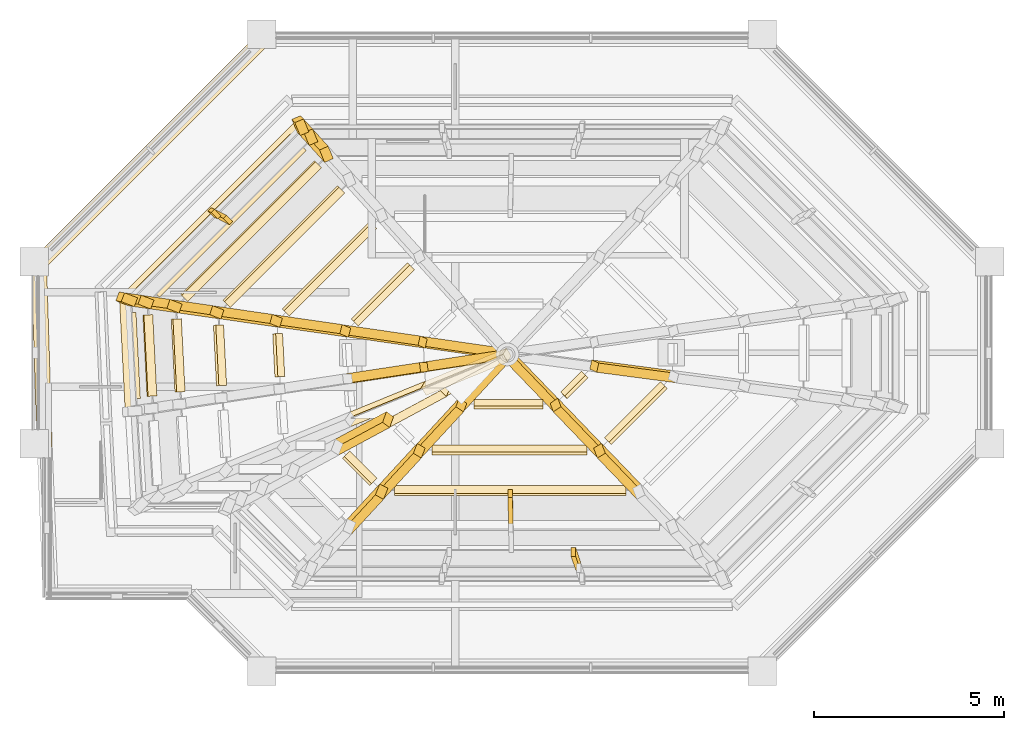
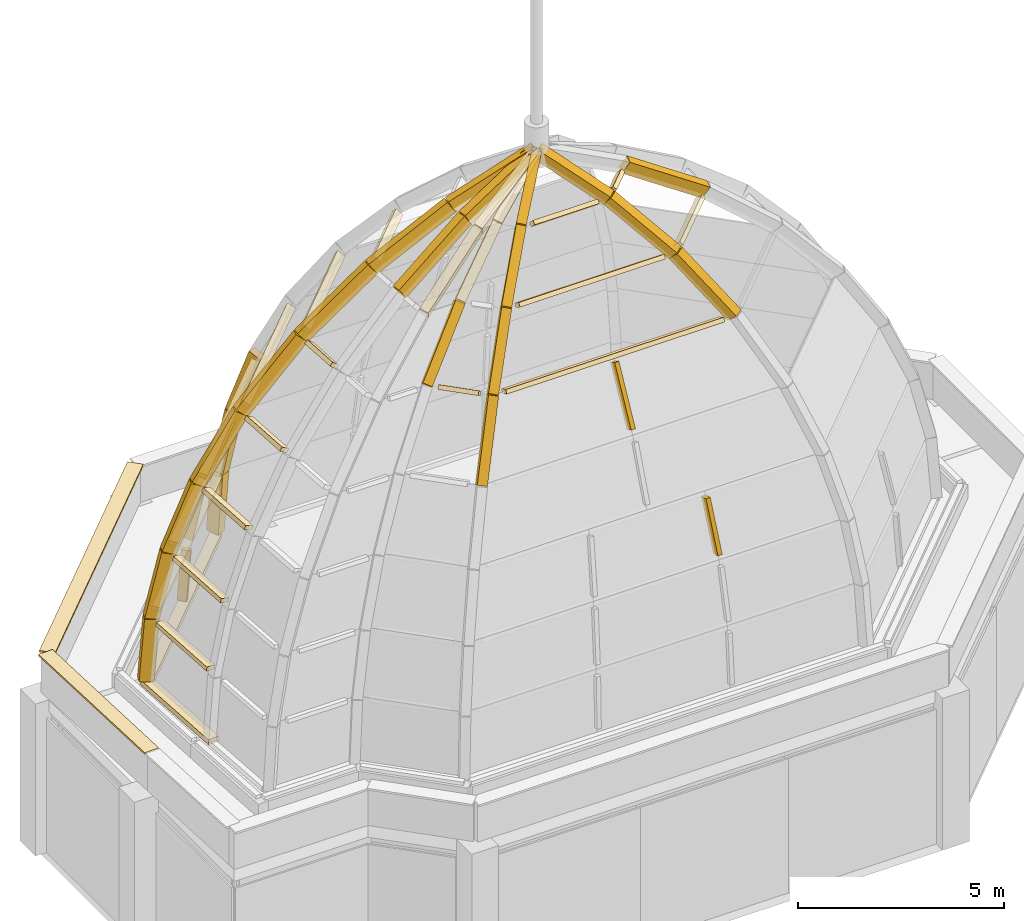
# One storey, part 7 of 9: 51 coverings.
"""IFC4 building model written with IfcOpenShell, lengths in metres."""

from ifc_helpers import new_model, si_unit, direction, frame, origin, origin_2d, place, context, subcontext, project, spatial, polyline, rectangle, outline, extrude, material, layer, layer_set, type_object, element, save


model = new_model("IFC4")

# Units and contexts
model_context = context("Model", 3, precision=1e-05, world=origin(), true_north=direction((0.0, 1.0)))
body_context = subcontext(model_context, "Body", "Model", "MODEL_VIEW")
ifc_project = project(units=[si_unit("LENGTHUNIT", "METRE"), si_unit("AREAUNIT", "SQUARE_METRE"), si_unit("VOLUMEUNIT", "CUBIC_METRE"), si_unit("PLANEANGLEUNIT", "RADIAN"), si_unit("MASSUNIT", "GRAM", prefix="KILO")], contexts=[model_context])

# Site, building, storey
site_placement = place(None, origin())
site = spatial("IfcSite", under=ifc_project, at=site_placement, CompositionType="ELEMENT")
building_placement = place(site_placement, origin())
building = spatial("IfcBuilding", under=site, at=building_placement, Name="Kawkab Arch Medical Tower", CompositionType="ELEMENT")
storey_placement = place(building_placement, frame((0.0, 0.0, 359.199951171875)))
storey = spatial("IfcBuildingStorey", under=building, at=storey_placement, Name="L83", CompositionType="ELEMENT", Elevation=359.199951171875)

# Coverings
ifc_material_1 = material(Name="Bronze painted steel hip rib", Category="steel")
ifc_layer_1 = layer(ifc_material_1, 0.3701171875)
ifc_layer_set_1 = layer_set([ifc_layer_1], Name="Bronze painted steel hip rib")
covering_type_1 = type_object("IfcCoveringType", Name="Crown hip rib 250 x 370", PredefinedType="CLADDING", material=ifc_layer_set_1)
covering_1_placement = place(storey_placement, frame((6.794677734375, -27.445068359375, 4.665771484375), z_axis=(-0.382144575685, 0.922167337883, 0.059773942617), x_axis=(0.042705262922, -0.046991183646, 0.997982008444)))
element("IfcCovering", 1, at=covering_1_placement, inside=storey, type_object=covering_type_1, Name="Crown hip rib, peak B 8 row 1", PredefinedType="CLADDING", context=body_context, shape_type="SweptSolid", body=[
    extrude(outline(polyline([(0.0, 0.0), (1.8237482317586289, -6.938893903907228e-18), (1.8237319559046812, 0.2499263171644488), (0.00022737209733265148, 0.24992108670236712), (0.0, 0.0)])), origin(), (0.0, 0.0, -1.0), 0.3701171875),
])
covering_2_placement = place(storey_placement, frame((2.150634765625, -32.23193359375, 4.669189453125), z_axis=(-0.930404263848, 0.358327122901, 0.07713351286), x_axis=(0.078305568486, -0.011263240122, 0.996865777006)))
element("IfcCovering", 2, at=covering_2_placement, inside=storey, type_object=covering_type_1, Name="Crown hip rib, peak B 9 row 1", PredefinedType="CLADDING", context=body_context, shape_type="SweptSolid", body=[
    extrude(outline(polyline([(0.0, 0.0), (1.8257786223914232, 0.0), (1.825787940099401, 0.24981653912669852), (-1.2549676936314015e-05, 0.2499570311515801), (0.0, 0.0)])), origin(), (0.0, 0.0, -1.0), 0.3701171875),
])
covering_3_placement = place(storey_placement, frame((6.87451171875, -27.534423828125, 6.517333984375), z_axis=(-0.374907527273, 0.909526590674, 0.179459540988), x_axis=(0.127964065514, -0.140955459627, 0.981711136913)))
element("IfcCovering", 3, at=covering_3_placement, inside=storey, type_object=covering_type_1, Name="Crown hip rib, peak B 8 row 2", PredefinedType="CLADDING", context=body_context, shape_type="SweptSolid", body=[
    extrude(outline(polyline([(0.0, 0.0), (1.8540041246641772, -2.7755575615628914e-17), (1.8539923713373134, 0.25000591095131014), (5.3900854078615945e-05, 0.25013461527703534), (0.0, 0.0)])), origin(), (0.0, 0.0, -1.0), 0.3701171875),
])
covering_4_placement = place(storey_placement, frame((2.299560546875, -32.25439453125, 6.52685546875), z_axis=(-0.907658915861, 0.351457160999, 0.229419171912), x_axis=(0.232703317621, -0.033499004912, 0.971970669639)))
element("IfcCovering", 4, at=covering_4_placement, inside=storey, type_object=covering_type_1, Name="Crown hip rib, peak B 9 row 2", PredefinedType="CLADDING", context=body_context, shape_type="SweptSolid", body=[
    extrude(outline(polyline([(0.0, 0.0), (1.8725649434504588, 2.7755575615628914e-17), (1.8727211366087035, 0.25023503696967764), (0.00016437162624100693, 0.2500066179153117), (0.0, 0.0)])), origin(), (0.0, 0.0, -1.0), 0.3701171875),
])
covering_5_placement = place(storey_placement, frame((7.1162109375, -27.803466796875, 8.368896484375), z_axis=(-0.361402680017, 0.882864278084, 0.299897931569), x_axis=(0.213067405553, -0.234930501081, 0.948372258321)))
element("IfcCovering", 5, at=covering_5_placement, inside=storey, type_object=covering_type_1, Name="Crown hip rib, peak B 8 row 3", PredefinedType="CLADDING", context=body_context, shape_type="SweptSolid", body=[
    extrude(outline(polyline([(0.0, 0.0), (1.919169854878034, -2.7755575615628914e-17), (1.9190866539091407, 0.2501726526939382), (-7.78632990866314e-05, 0.2498517586728065), (0.0, 0.0)])), origin(), (0.0, 0.0, -1.0), 0.3701171875),
])
covering_6_placement = place(storey_placement, frame((2.747314453125, -32.320556640625, 8.383056640625), z_axis=(-0.862741529194, 0.337774921502, 0.376278030461), x_axis=(0.381054548547, -0.05484313353, 0.92292451573)))
element("IfcCovering", 6, at=covering_6_placement, inside=storey, type_object=covering_type_1, Name="Crown hip rib, peak B 9 row 3", PredefinedType="CLADDING", context=body_context, shape_type="SweptSolid", body=[
    extrude(outline(polyline([(0.0, 0.0), (1.9720663265019112, 0.0), (1.9718890298047596, 0.24994318705451474), (-0.0001772966971514793, 0.2499431870545147), (0.0, 0.0)])), origin(), (0.0, 0.0, -1.0), 0.3701171875),
])
covering_7_placement = place(storey_placement, frame((3.5166015625, -32.434326171875, 10.236328125), z_axis=(-0.796856297097, 0.315907602134, 0.514997503577), x_axis=(0.520166717011, -0.074863836411, 0.850777287257)))
element("IfcCovering", 7, at=covering_7_placement, inside=storey, type_object=covering_type_1, Name="Crown hip rib, peak B 9 row 4", PredefinedType="CLADDING", context=body_context, shape_type="SweptSolid", body=[
    extrude(outline(polyline([(0.0, 0.0), (2.139300597978579, -8.326672684688674e-17), (2.13936805125987, 0.25012620168401384), (6.74532812908954e-05, 0.2501262016840139), (0.0, 0.0)])), origin(), (0.0, 0.0, -1.0), 0.3701171875),
])
covering_8_placement = place(storey_placement, frame((8.364501953125, -38.38671875, 12.02734375), z_axis=(-0.308890123392, -0.782676283008, 0.540374617915), x_axis=(0.384160335919, 0.417079220405, 0.82369033029)))
element("IfcCovering", 8, at=covering_8_placement, inside=storey, type_object=covering_type_1, Name="Crown hip rib, peak B 3 row 5", PredefinedType="CLADDING", context=body_context, shape_type="SweptSolid", body=[
    extrude(outline(polyline([(0.0, 0.0), (2.209670643879363, 5.551115123125783e-17), (2.2096611492697615, 0.2500011901600701), (0.0002934276439857872, 0.2501559415844942), (0.0, 0.0)])), origin(), (0.0, 0.0, -1.0), 0.3701171875),
])
covering_9_placement = place(storey_placement, frame((4.65234375, -32.601806640625, 12.086669921875), z_axis=(-0.709563001317, 0.286886947148, 0.643596322797), x_axis=(0.647954304112, -0.093276521197, 0.755946235109)))
element("IfcCovering", 9, at=covering_9_placement, inside=storey, type_object=covering_type_1, Name="Crown hip rib, peak B 9 row 5", PredefinedType="CLADDING", context=body_context, shape_type="SweptSolid", body=[
    extrude(outline(polyline([(0.0, 0.0), (2.4074867283404786, -2.7755575615628914e-17), (2.407513032708694, 0.24987748608722507), (-6.084931324437659e-08, 0.24997431411396065), (0.0, 0.0)])), origin(), (0.0, 0.0, -1.0), 0.3701171875),
])
covering_10_placement = place(storey_placement, frame((8.02880859375, -36.296630859375, 13.832763671875), z_axis=(-0.275250961441, -0.759604064393, 0.589269525416), x_axis=(0.615630964921, 0.331516476335, 0.714909323585)))
element("IfcCovering", 10, at=covering_10_placement, inside=storey, type_object=covering_type_1, Name="Crown hip rib, peak B 2 row 6", PredefinedType="CLADDING", context=body_context, shape_type="SweptSolid", body=[
    extrude(outline(polyline([(0.0, 0.0), (2.1818946671779704, 0.0), (2.182015988067419, 0.2500339325586525), (-5.321751962965304e-05, 0.24994204155419075), (0.0, 0.0)])), origin(), (0.0, 0.0, -1.0), 0.3701171875),
])
covering_11_placement = place(storey_placement, frame((9.218505859375, -37.45263671875, 13.870849609375), z_axis=(-0.270636138852, -0.703563635091, 0.657080125802), x_axis=(0.463418201757, 0.503050748179, 0.729509091812)))
element("IfcCovering", 11, at=covering_11_placement, inside=storey, type_object=covering_type_1, Name="Crown hip rib, peak B 3 row 6", PredefinedType="CLADDING", context=body_context, shape_type="SweptSolid", body=[
    extrude(outline(polyline([(0.0, 0.0), (2.1384324155491097, 5.551115123125783e-17), (2.138359056676382, 0.2499704107148108), (0.0001047439328907343, 0.2500167731372869), (0.0, 0.0)])), origin(), (0.0, 0.0, -1.0), 0.3701171875),
])
covering_12_placement = place(storey_placement, frame((16.095458984375, -37.325439453125, 13.920654296875), z_axis=(0.268530830404, -0.700553317192, 0.661147671019), x_axis=(-0.479150808847, 0.498278309163, 0.722587869397)))
element("IfcCovering", 12, at=covering_12_placement, inside=storey, type_object=covering_type_1, Name="Crown hip rib, peak B 4 row 6", PredefinedType="CLADDING", context=body_context, shape_type="SweptSolid", body=[
    extrude(outline(polyline([(0.0, 0.0), (2.158914231616296, -1.1102230246251565e-16), (2.1589088233436255, 0.25006411329117206), (0.0001710047813816007, 0.2500148292090333), (0.0, 0.0)])), origin(), (0.0, 0.0, -1.0), 0.3701171875),
])
covering_13_placement = place(storey_placement, frame((6.238525390625, -32.83544921875, 13.93115234375), z_axis=(-0.608602667795, 0.251132357135, 0.75268541367), x_axis=(0.754955365965, -0.108697628004, 0.646704894884)))
element("IfcCovering", 13, at=covering_13_placement, inside=storey, type_object=covering_type_1, Name="Crown hip rib, peak B 9 row 6", PredefinedType="CLADDING", context=body_context, shape_type="SweptSolid", body=[
    extrude(outline(polyline([(0.0, 0.0), (2.4120485597224763, 0.0), (2.412094180120891, 0.25000295916821536), (-0.00011226653881299398, 0.25003309590019784), (0.0, 0.0)])), origin(), (0.0, 0.0, -1.0), 0.3701171875),
])
covering_14_placement = place(storey_placement, frame((8.346923828125, -35.548583984375, 15.44775390625), z_axis=(-0.314742928045, -0.513760747008, 0.798114518148), x_axis=(0.790437690393, 0.32365142108, 0.520055780891)))
element("IfcCovering", 14, at=covering_14_placement, inside=storey, type_object=covering_type_1, Name="Crown hip rib, peak B 1 row 7", PredefinedType="CLADDING", context=body_context, shape_type="SweptSolid", body=[
    extrude(outline(polyline([(0.0, 0.0), (2.4996020545112567, -2.7755575615628914e-16), (2.4996339225641826, 0.24990229517795282), (-1.6082230230814176e-05, 0.25002200094291277), (0.0, 0.0)])), origin(), (0.0, 0.0, -1.0), 0.3701171875),
])
covering_15_placement = place(storey_placement, frame((9.373291015625, -35.564453125, 15.413818359375), z_axis=(-0.232777247941, -0.681980870307, 0.693337468609), x_axis=(0.700340393444, 0.377110458936, 0.606061906964)))
element("IfcCovering", 15, at=covering_15_placement, inside=storey, type_object=covering_type_1, Name="Crown hip rib, peak B 2 row 7", PredefinedType="CLADDING", context=body_context, shape_type="SweptSolid", body=[
    extrude(outline(polyline([(0.0, 0.0), (2.1449807240953502, -3.3306690738754696e-16), (2.1449778929541656, 0.2500321705612599), (-9.489912432320696e-05, 0.24987917992201722), (0.0, 0.0)])), origin(), (0.0, 0.0, -1.0), 0.3701171875),
])
covering_16_placement = place(storey_placement, frame((10.21533203125, -36.36181640625, 15.453125), z_axis=(-0.228362054138, -0.609751534122, 0.758982107079), x_axis=(0.530389915697, 0.575821123593, 0.622186926053)))
element("IfcCovering", 16, at=covering_16_placement, inside=storey, type_object=covering_type_1, Name="Crown hip rib, peak B 3 row 7", PredefinedType="CLADDING", context=body_context, shape_type="SweptSolid", body=[
    extrude(outline(polyline([(0.0, 0.0), (2.0892601364062644, -8.326672684688674e-17), (2.089364533541694, 0.24972644287818707), (-3.641236607325807e-05, 0.2500118792386503), (0.0, 0.0)])), origin(), (0.0, 0.0, -1.0), 0.3701171875),
])
covering_17_placement = place(storey_placement, frame((15.048095703125, -36.2236328125, 15.503173828125), z_axis=(0.225729436185, -0.606659136538, 0.762240718996), x_axis=(-0.546841196527, 0.568632362753, 0.614509513198)))
element("IfcCovering", 17, at=covering_17_placement, inside=storey, type_object=covering_type_1, Name="Crown hip rib, peak B 4 row 7", PredefinedType="CLADDING", context=body_context, shape_type="SweptSolid", body=[
    extrude(outline(polyline([(0.0, 0.0), (2.115713835880776, -5.551115123125783e-17), (2.1156587074587425, 0.2498895610769215), (0.00021720398989991813, 0.24995076592041238), (0.0, 0.0)])), origin(), (0.0, 0.0, -1.0), 0.3701171875),
])
covering_18_placement = place(storey_placement, frame((16.972412109375, -34.147705078125, 15.511474609375), z_axis=(0.494546016062, -0.222617122977, 0.840158231856), x_axis=(-0.843282365549, 0.111183035083, 0.525845209795)))
element("IfcCovering", 18, at=covering_18_placement, inside=storey, type_object=covering_type_1, Name="Crown hip rib, peak B 5 row 7", PredefinedType="CLADDING", context=body_context, shape_type="SweptSolid", body=[
    extrude(outline(polyline([(0.0, 0.0), (2.4723997171502923, -2.7755575615628914e-17), (2.4722769606216337, 0.25002487607662127), (8.312295511810758e-05, 0.25007626120599236), (0.0, 0.0)])), origin(), (0.0, 0.0, -1.0), 0.3701171875),
])
covering_19_placement = place(storey_placement, frame((8.086181640625, -33.107421875, 15.5087890625), z_axis=(-0.504140147538, 0.211424699401, 0.837342407933), x_axis=(0.836754057776, -0.12038330599, 0.534182091083)))
element("IfcCovering", 19, at=covering_19_placement, inside=storey, type_object=covering_type_1, Name="Crown hip rib, peak B 9 row 7", PredefinedType="CLADDING", context=body_context, shape_type="SweptSolid", body=[
    extrude(outline(polyline([(0.0, 0.0), (2.4336780268840656, 0.0), (2.433712413350323, 0.24995171187721232), (4.996010693262415e-06, 0.2501885166369284), (0.0, 0.0)])), origin(), (0.0, 0.0, -1.0), 0.3701171875),
])
covering_20_placement = place(storey_placement, frame((8.18359375, -34.41357421875, 15.50048828125), z_axis=(-0.540376015781, -0.029681727473, 0.840899968262), x_axis=(0.832459026131, 0.126634465133, 0.539421618081)))
element("IfcCovering", 20, at=covering_20_placement, inside=storey, type_object=covering_type_1, Name="Crown hip rib, peak B 10 row 7", PredefinedType="CLADDING", context=body_context, shape_type="SweptSolid", body=[
    extrude(outline(polyline([(0.0, 0.0), (2.4099191932172577, 6.938893903907228e-17), (2.4099686636836064, 0.24991639433995574), (0.00018116519732584886, 0.2499057201686219), (0.0, 0.0)])), origin(), (0.0, 0.0, -1.0), 0.3701171875),
])
covering_21_placement = place(storey_placement, frame((10.333740234375, -34.7275390625, 16.764404296875), z_axis=(-0.238177119758, -0.439653790818, 0.866011664958), x_axis=(0.844887361986, 0.345969469874, 0.408007930647)))
element("IfcCovering", 21, at=covering_21_placement, inside=storey, type_object=covering_type_1, Name="Crown hip rib, peak B 1 row 8", PredefinedType="CLADDING", context=body_context, shape_type="SweptSolid", body=[
    extrude(outline(polyline([(0.0, 0.0), (2.5489518871637493, -1.1102230246251565e-16), (2.549074841270546, 0.24999293055588406), (3.84889041914159e-05, 0.24979057204396635), (0.0, 0.0)])), origin(), (0.0, 0.0, -1.0), 0.3701171875),
])
covering_22_placement = place(storey_placement, frame((10.8779296875, -34.742919921875, 16.737060546875), z_axis=(-0.185982087064, -0.585387710786, 0.789133633393), x_axis=(0.768444352603, 0.413834251951, 0.488092705196)))
element("IfcCovering", 22, at=covering_22_placement, inside=storey, type_object=covering_type_1, Name="Crown hip rib, peak B 2 row 8", PredefinedType="CLADDING", context=body_context, shape_type="SweptSolid", body=[
    extrude(outline(polyline([(0.0, 0.0), (2.130859500753574, 0.0), (2.1308874451372986, 0.2500325394257992), (0.00021555286824656572, 0.24988305358639235), (0.0, 0.0)])), origin(), (0.0, 0.0, -1.0), 0.3701171875),
])
covering_23_placement = place(storey_placement, frame((11.330322265625, -35.140380859375, 16.77392578125), z_axis=(-0.183096457422, -0.501772135854, 0.84539955699), x_axis=(0.585262173104, 0.635310851954, 0.50383361353)))
element("IfcCovering", 23, at=covering_23_placement, inside=storey, type_object=covering_type_1, Name="Crown hip rib, peak B 3 row 8", PredefinedType="CLADDING", context=body_context, shape_type="SweptSolid", body=[
    extrude(outline(polyline([(0.0, 0.0), (2.064077883789767, 2.220446049250313e-16), (2.0639652392664045, 0.24998409798143212), (1.036172994064305e-05, 0.2500273951211484), (0.0, 0.0)])), origin(), (0.0, 0.0, -1.0), 0.3701171875),
])
covering_24_placement = place(storey_placement, frame((13.877685546875, -34.991455078125, 16.820068359375), z_axis=(0.179872234853, -0.499220064579, 0.847599732333), x_axis=(-0.601778162722, 0.625763968251, 0.496268575379)))
element("IfcCovering", 24, at=covering_24_placement, inside=storey, type_object=covering_type_1, Name="Crown hip rib, peak B 4 row 8", PredefinedType="CLADDING", context=body_context, shape_type="SweptSolid", body=[
    extrude(outline(polyline([(0.0, 0.0), (2.0954029166207704, 3.0531133177191805e-16), (2.095430883591094, 0.2500587403038567), (-9.319234983715813e-05, 0.2501046050914046), (0.0, 0.0)])), origin(), (0.0, 0.0, -1.0), 0.3701171875),
])
covering_25_placement = place(storey_placement, frame((10.149169921875, -33.41064453125, 16.821044921875), z_axis=(-0.397947164618, 0.169830525158, 0.901551799342), x_axis=(0.897958435751, -0.129176477327, 0.420694765084)))
element("IfcCovering", 25, at=covering_25_placement, inside=storey, type_object=covering_type_1, Name="Crown hip rib, peak B 9 row 8", PredefinedType="CLADDING", context=body_context, shape_type="SweptSolid", body=[
    extrude(outline(polyline([(0.0, 0.0), (2.4719091637412522, 6.938893903907228e-17), (2.471884745170411, 0.24986843831187971), (6.056365409507457e-05, 0.2501775134512105), (0.0, 0.0)])), origin(), (0.0, 0.0, -1.0), 0.3701171875),
])
covering_26_placement = place(storey_placement, frame((10.216064453125, -34.10693359375, 16.8134765625), z_axis=(-0.426431946767, -0.023742676514, 0.904207984973), x_axis=(0.894669347146, 0.136056564, 0.425506017196)))
element("IfcCovering", 26, at=covering_26_placement, inside=storey, type_object=covering_type_1, Name="Crown hip rib, peak B 10 row 8", PredefinedType="CLADDING", context=body_context, shape_type="SweptSolid", body=[
    extrude(outline(polyline([(0.0, 0.0), (2.4439998404447856, -6.938893903907228e-18), (2.4440616452774364, 0.25018931857582094), (0.00013247120306026858, 0.2499385389011545), (0.0, 0.0)])), origin(), (0.0, 0.0, -1.0), 0.3701171875),
])
ifc_material_2 = material(Name="Bronze anodised aluminium joint bar", Category="aluminium")
ifc_layer_2 = layer(ifc_material_2, 0.239990234375)
ifc_layer_set_2 = layer_set([ifc_layer_2], Name="Bronze anodised aluminium joint bar")
covering_type_2 = type_object("IfcCoveringType", Name="Crown joint bar 120 x 240", PredefinedType="CLADDING", material=ifc_layer_set_2)
covering_27_placement = place(storey_placement, frame((6.754638671875, -27.828125, 6.417724609375), z_axis=(-0.70569143744, 0.70569143744, 0.063239151217), x_axis=(-0.707106781187, -0.707106781187, 0.0)))
element("IfcCovering", 27, at=covering_27_placement, inside=storey, type_object=covering_type_2, Name="Crown joint bar, peak B face 8 ring 1", PredefinedType="CLADDING", context=body_context, shape_type="SweptSolid", body=[
    extrude(outline(polyline([(0.0, 0.0), (5.7549100726647335, 0.0), (5.7549100726647335, 0.12011346578647426), (0.0, 0.12011346578647428), (0.0, 0.0)])), origin(), (0.0, 0.0, -1.0), 0.239990234375),
])
covering_28_placement = place(storey_placement, frame((2.435302734375, -32.54541015625, 6.41943359375), z_axis=(-0.995726112877, -0.050425998512, 0.077373941402), x_axis=(0.050577606757, -0.998720133819, -2.09476e-07)))
element("IfcCovering", 28, at=covering_28_placement, inside=storey, type_object=covering_type_2, Name="Crown joint bar, peak B face 9 ring 1", PredefinedType="CLADDING", context=body_context, shape_type="SweptSolid", body=[
    extrude(outline(polyline([(0.0, 0.0), (2.2736616253490163, 0.0), (2.273643169818271, 0.11998909266141256), (0.00022537262692507305, 0.11998813729515251), (0.0, 0.0)])), origin(), (0.0, 0.0, -1.0), 0.239990234375),
])
covering_29_placement = place(storey_placement, frame((6.98779296875, -28.08544921875, 8.25390625), z_axis=(-0.694284146344, 0.694240356742, 0.189736267502), x_axis=(-0.707084480959, -0.707129080711, 0.0)))
element("IfcCovering", 29, at=covering_29_placement, inside=storey, type_object=covering_type_2, Name="Crown joint bar, peak B face 8 ring 2", PredefinedType="CLADDING", context=body_context, shape_type="SweptSolid", body=[
    extrude(outline(polyline([(0.0, 0.0), (5.474035384715375, 0.0), (5.474036103363735, 0.12010155552603326), (7.186483606124659e-07, 0.12010155552603329), (0.0, 0.0)])), origin(), (0.0, 0.0, -1.0), 0.239990234375),
])
covering_30_placement = place(storey_placement, frame((2.86474609375, -32.608642578125, 8.25927734375), z_axis=(-0.9717385227, -0.049218068977, 0.23087188046), x_axis=(0.05058163081, -0.998719929941, -1.2765527e-05)))
element("IfcCovering", 30, at=covering_30_placement, inside=storey, type_object=covering_type_2, Name="Crown joint bar, peak B face 9 ring 2", PredefinedType="CLADDING", context=body_context, shape_type="SweptSolid", body=[
    extrude(outline(polyline([(0.0, 0.0), (2.145318444639432, 3.469446951953614e-18), (2.1452617726778214, 0.1202185499417906), (-6.90209925698076e-05, 0.12016225673461947), (0.0, 0.0)])), origin(), (0.0, 0.0, -1.0), 0.239990234375),
])
covering_31_placement = place(storey_placement, frame((7.394287109375, -28.53369140625, 10.091064453125), z_axis=(-0.670744151353, 0.670697739497, 0.316649373377), x_axis=(-0.70708231594, -0.707131245586, 0.0)))
element("IfcCovering", 31, at=covering_31_placement, inside=storey, type_object=covering_type_2, Name="Crown joint bar, peak B face 8 ring 3", PredefinedType="CLADDING", context=body_context, shape_type="SweptSolid", body=[
    extrude(outline(polyline([(0.0, 0.0), (4.989625807828905, 0.0), (4.989627121857488, 0.1199413967013996), (1.314028582064057e-06, 0.1199413967013996), (0.0, 0.0)])), origin(), (0.0, 0.0, -1.0), 0.239990234375),
])
covering_32_placement = place(storey_placement, frame((3.613037109375, -32.717041015625, 10.099853515625), z_axis=(-0.924284665266, -0.046851245816, 0.378817658406), x_axis=(0.050624660453, -0.998717749794, 1.125989e-06)))
element("IfcCovering", 32, at=covering_32_placement, inside=storey, type_object=covering_type_2, Name="Crown joint bar, peak B face 9 ring 3", PredefinedType="CLADDING", context=body_context, shape_type="SweptSolid", body=[
    extrude(outline(polyline([(0.0, 0.0), (1.924098302770022, 0.0), (1.924202853409943, 0.12002729226287048), (-0.00013927693571216693, 0.12003197452753472), (0.0, 0.0)])), origin(), (0.0, 0.0, -1.0), 0.239990234375),
])
covering_33_placement = place(storey_placement, frame((7.9990234375, -29.2001953125, 11.929443359375), z_axis=(-0.634006905266, 0.634006905266, 0.442798473519), x_axis=(-0.707106781187, -0.707106781187, 0.0)))
element("IfcCovering", 33, at=covering_33_placement, inside=storey, type_object=covering_type_2, Name="Crown joint bar, peak B face 8 ring 4", PredefinedType="CLADDING", context=body_context, shape_type="SweptSolid", body=[
    extrude(outline(polyline([(0.0, 0.0), (4.272333647657392, 0.0), (4.272333647657392, 0.12007971698646308), (0.0, 0.12007971698646308), (0.0, 0.0)])), origin(), (0.0, 0.0, -1.0), 0.239990234375),
])
covering_34_placement = place(storey_placement, frame((4.72607421875, -32.877197265625, 11.94091796875), z_axis=(-0.854293950866, -0.043290155808, 0.517984370347), x_axis=(0.050608671678, -0.998718560131, 0.0)))
element("IfcCovering", 34, at=covering_34_placement, inside=storey, type_object=covering_type_2, Name="Crown joint bar, peak B face 9 ring 4", PredefinedType="CLADDING", context=body_context, shape_type="SweptSolid", body=[
    extrude(outline(polyline([(0.0, 0.0), (1.5967727307382549, 0.0), (1.596741300397584, 0.11987403721327122), (-3.143034067075749e-05, 0.11987403721327122), (0.0, 0.0)])), origin(), (0.0, 0.0, -1.0), 0.239990234375),
])
covering_35_placement = place(storey_placement, frame((8.133056640625, -36.38330078125, 13.7685546875), z_axis=(-0.582863606295, -0.582764243253, 0.566264826069), x_axis=(0.707027167982, -0.707186384309, -3.9792709e-05)))
element("IfcCovering", 35, at=covering_35_placement, inside=storey, type_object=covering_type_2, Name="Crown joint bar, peak B face 2 ring 5", PredefinedType="CLADDING", context=body_context, shape_type="SweptSolid", body=[
    extrude(outline(polyline([(0.0, 0.0), (1.012495439868463, 0.0), (1.0124838476654885, 0.12001266591784931), (-0.00018420625765749448, 0.11991489297725443), (0.0, 0.0)])), origin(), (0.0, 0.0, -1.0), 0.239990234375),
])
covering_36_placement = place(storey_placement, frame((9.497802734375, -37.369384765625, 13.750732421875), z_axis=(0.0, -0.891970083601, 0.452094425935), x_axis=(1.0, 0.0, 0.0)))
element("IfcCovering", 36, at=covering_36_placement, inside=storey, type_object=covering_type_2, Name="Crown joint bar, peak B face 3 ring 5", PredefinedType="CLADDING", context=body_context, shape_type="SweptSolid", body=[
    extrude(outline(polyline([(0.0, 0.0), (6.109130859375, 0.0), (6.109130859375, 0.11988473124380933), (0.0, 0.11988473124380933), (0.0, 0.0)])), origin(), (0.0, 0.0, -1.0), 0.239990234375),
])
covering_37_placement = place(storey_placement, frame((8.84912109375, -30.13671875, 13.76904296875), z_axis=(-0.581414307628, 0.58138358398, 0.569166523229), x_axis=(-0.707094150186, -0.707119411853, -1.2365086e-05)))
element("IfcCovering", 37, at=covering_37_placement, inside=storey, type_object=covering_type_2, Name="Crown joint bar, peak B face 8 ring 5", PredefinedType="CLADDING", context=body_context, shape_type="SweptSolid", body=[
    extrude(outline(polyline([(0.0, 0.0), (3.266916192386825, -1.1102230246251565e-16), (3.266916193928715, 0.12000794828669364), (0.00017263194965080514, 0.11990969108252024), (0.0, 0.0)])), origin(), (0.0, 0.0, -1.0), 0.239990234375),
])
covering_38_placement = place(storey_placement, frame((6.289306640625, -33.1015625, 13.781982421875), z_axis=(-0.761310278114, -0.038597040953, 0.647237922921), x_axis=(0.050633144458, -0.998717319707, 0.0)))
element("IfcCovering", 38, at=covering_38_placement, inside=storey, type_object=covering_type_2, Name="Crown joint bar, peak B face 9 ring 5", PredefinedType="CLADDING", context=body_context, shape_type="SweptSolid", body=[
    extrude(outline(polyline([(0.0, 0.0), (1.1379342151677614, 0.0), (1.137963966833351, 0.12010254440979509), (2.9751665589412314e-05, 0.12010254440979509), (0.0, 0.0)])), origin(), (0.0, 0.0, -1.0), 0.239990234375),
])
covering_39_placement = place(storey_placement, frame((10.488525390625, -36.29248046875, 15.328857421875), z_axis=(0.0, -0.821899128607, 0.56963305943), x_axis=(1.0, 0.0, 0.0)))
element("IfcCovering", 39, at=covering_39_placement, inside=storey, type_object=covering_type_2, Name="Crown joint bar, peak B face 3 ring 6", PredefinedType="CLADDING", context=body_context, shape_type="SweptSolid", body=[
    extrude(outline(polyline([(0.0, 0.0), (4.083984375, 0.0), (4.083984375, 0.12000598256774861), (0.0, 0.12000598256774861), (0.0, 0.0)])), origin(), (0.0, 0.0, -1.0), 0.239990234375),
])
covering_40_placement = place(storey_placement, frame((15.218017578125, -36.0205078125, 15.349609375), z_axis=(0.510862549349, -0.510820416355, 0.691434709794), x_axis=(0.707063679641, 0.707149879805, 2.0597887e-05)))
element("IfcCovering", 40, at=covering_40_placement, inside=storey, type_object=covering_type_2, Name="Crown joint bar, peak B face 4 ring 6", PredefinedType="CLADDING", context=body_context, shape_type="SweptSolid", body=[
    extrude(outline(polyline([(0.0, 0.0), (2.093181090635153, -1.1102230246251565e-16), (2.093187926643314, 0.11990882578418008), (0.00017948002178520885, 0.12002818072740516), (0.0, 0.0)])), origin(), (0.0, 0.0, -1.0), 0.239990234375),
])
covering_41_placement = place(storey_placement, frame((9.843017578125, -31.231689453125, 15.348876953125), z_axis=(-0.513479345512, 0.513479345512, 0.687515762339), x_axis=(-0.707106781187, -0.707106781187, 0.0)))
element("IfcCovering", 41, at=covering_41_placement, inside=storey, type_object=covering_type_2, Name="Crown joint bar, peak B face 8 ring 6", PredefinedType="CLADDING", context=body_context, shape_type="SweptSolid", body=[
    extrude(outline(polyline([(0.0, 0.0), (2.093353717936542, 0.0), (2.093353717936542, 0.12002460664550807), (0.0, 0.12002460664550807), (0.0, 0.0)])), origin(), (0.0, 0.0, -1.0), 0.239990234375),
])
covering_42_placement = place(storey_placement, frame((11.596923828125, -35.08544921875, 16.6474609375), z_axis=(0.0, -0.734023417152, 0.679124158805), x_axis=(1.0, 0.0, 0.0)))
element("IfcCovering", 42, at=covering_42_placement, inside=storey, type_object=covering_type_2, Name="Crown joint bar, peak B face 3 ring 7", PredefinedType="CLADDING", context=body_context, shape_type="SweptSolid", body=[
    extrude(outline(polyline([(0.0, 0.0), (1.81884765625, 0.0), (1.81884765625, 0.12007078189275341), (0.0, 0.12007078189275341), (0.0, 0.0)])), origin(), (0.0, 0.0, -1.0), 0.239990234375),
])
covering_43_placement = place(storey_placement, frame((14.05615234375, -34.8125, 16.66796875), z_axis=(0.433577339413, -0.433481478847, 0.790002846985), x_axis=(0.7069798127, 0.707233724853, 5.3537441e-05)))
element("IfcCovering", 43, at=covering_43_placement, inside=storey, type_object=covering_type_2, Name="Crown joint bar, peak B face 4 ring 7", PredefinedType="CLADDING", context=body_context, shape_type="SweptSolid", body=[
    extrude(outline(polyline([(0.0, 0.0), (0.7808212993482747, 5.551115123125783e-17), (0.7808422189526739, 0.11979145965368028), (0.00019358408800590734, 0.11992781044766769), (0.0, 0.0)])), origin(), (0.0, 0.0, -1.0), 0.239990234375),
])
covering_44_placement = place(storey_placement, frame((4.57958984375, -29.859619140625, 4.818603515625), z_axis=(-0.705697911223, 0.705673146266, 0.063370882393), x_axis=(0.06054303054, -0.029054162109, 0.997742650746)))
element("IfcCovering", 44, at=covering_44_placement, inside=storey, type_object=covering_type_2, Name="Crown joint bar, peak B face 8 row 1 joint 1", PredefinedType="CLADDING", context=body_context, shape_type="SweptSolid", body=[
    extrude(outline(polyline([(0.0, 0.0), (1.5041277635603323, 0.0), (1.504108821671955, 0.12001045111514914), (-1.8941888377352334e-05, 0.12001045111514914), (0.0, 0.0)])), origin(), (0.0, 0.0, -1.0), 0.239990234375),
])
covering_45_placement = place(storey_placement, frame((4.711181640625, -29.923583984375, 6.653564453125), z_axis=(-0.693438923821, 0.694970129415, 0.19015514232), x_axis=(0.181121100656, -0.087306402595, 0.979577837113)))
element("IfcCovering", 45, at=covering_45_placement, inside=storey, type_object=covering_type_2, Name="Crown joint bar, peak B face 8 row 2 joint 1", PredefinedType="CLADDING", context=body_context, shape_type="SweptSolid", body=[
    extrude(outline(polyline([(0.0, 0.0), (1.538001105981536, 0.0), (1.5380336986149619, 0.12007003284801362), (3.2592633426041344e-05, 0.12007003284801364), (0.0, 0.0)])), origin(), (0.0, 0.0, -1.0), 0.239990234375),
])
covering_46_placement = place(storey_placement, frame((14.401611328125, -39.335693359375, 8.47802734375), z_axis=(0.000698739806, -0.971512726737, 0.236986357311), x_axis=(-0.078918391846, 0.236193700542, 0.968495959337)))
element("IfcCovering", 46, at=covering_46_placement, inside=storey, type_object=covering_type_2, Name="Crown joint bar, peak B face 3 row 3 joint 2", PredefinedType="CLADDING", context=body_context, shape_type="SweptSolid", body=[
    extrude(outline(polyline([(0.0, 0.0), (1.5591647148705057, 0.0), (1.5592803702669018, 0.11999416358671867), (-6.312933475522559e-05, 0.12000811033359965), (0.0, 0.0)])), origin(), (0.0, 0.0, -1.0), 0.239990234375),
])
covering_47_placement = place(storey_placement, frame((12.62939453125, -38.19140625, 12.12744140625), z_axis=(-4.6244869e-05, -0.892145038318, 0.451749076884), x_axis=(-0.00908286909, 0.451730817403, 0.892108048443)))
element("IfcCovering", 47, at=covering_47_placement, inside=storey, type_object=covering_type_2, Name="Crown joint bar, peak B face 3 row 5 joint 1", PredefinedType="CLADDING", context=body_context, shape_type="SweptSolid", body=[
    extrude(outline(polyline([(0.0, 0.0), (1.7202714081862283, 1.734723475976807e-18), (1.7202684284241825, 0.11987801904900028), (-2.979762045855522e-06, 0.11987801904900029), (0.0, 0.0)])), origin(), (0.0, 0.0, -1.0), 0.239990234375),
])
ifc_material_3 = material(Name="Bronze anodised aluminium sill", Category="aluminium")
ifc_layer_3 = layer(ifc_material_3, 0.14990234375)
ifc_layer_set_3 = layer_set([ifc_layer_3], Name="Bronze anodised aluminium sill")
covering_type_3 = type_object("IfcCoveringType", Name="Crown sill 300 x 150", PredefinedType="CLADDING", material=ifc_layer_set_3)
covering_48_placement = place(storey_placement, frame((4.698486328125, -29.8955078125, 4.5), z_axis=(0.0, 0.0, 1.0), x_axis=(-0.707106781187, -0.707106781187, 0.0)))
element("IfcCovering", 48, at=covering_48_placement, inside=storey, type_object=covering_type_3, Name="Crown sill, peak B 8", PredefinedType="CLADDING", context=body_context, shape_type="SweptSolid", body=[
    extrude(rectangle(XDim=6.368408203125, YDim=0.300048828125, at=origin_2d()), origin(), (0.0, 0.0, 1.0), 0.14990234375),
])
covering_49_placement = place(storey_placement, frame((2.473388671875, -33.64208984375, 4.5), z_axis=(0.0, 0.0, 1.0), x_axis=(0.050580053169, -0.998720009923, 0.0)))
element("IfcCovering", 49, at=covering_49_placement, inside=storey, type_object=covering_type_3, Name="Crown sill, peak B 9", PredefinedType="CLADDING", context=body_context, shape_type="SweptSolid", body=[
    extrude(rectangle(XDim=3.032958984375, YDim=0.300048828125, at=origin_2d()), origin(), (0.0, 0.0, 1.0), 0.14990234375),
])
ifc_material_4 = material(Name="Bronze anodised aluminium coping", Category="aluminium")
ifc_layer_4 = layer(ifc_material_4, 0.050048828125)
ifc_layer_set_4 = layer_set([ifc_layer_4], Name="Bronze anodised aluminium coping")
covering_type_4 = type_object("IfcCoveringType", Name="Parapet coping 400 x 50", PredefinedType="CLADDING", material=ifc_layer_set_4)
covering_50_placement = place(storey_placement, frame((3.089111328125, -28.28759765625, 5.60009765625), z_axis=(0.0, 0.0, 1.0), x_axis=(-0.707106781187, -0.707106781187, 0.0)))
element("IfcCovering", 50, at=covering_50_placement, inside=storey, type_object=covering_type_4, Name="Parapet coping, crown peak B 8", PredefinedType="CLADDING", context=body_context, shape_type="SweptSolid", body=[
    extrude(rectangle(XDim=8.27587890625, YDim=0.39990234375, at=origin_2d()), origin(), (0.0, 0.0, 1.0), 0.050048828125),
])
covering_51_placement = place(storey_placement, frame((0.19921875, -33.648193359375, 5.60009765625), z_axis=(0.0, 0.0, 1.0), x_axis=(0.030935697546, -0.999521376769, 0.0)))
element("IfcCovering", 51, at=covering_51_placement, inside=storey, type_object=covering_type_4, Name="Parapet coping, crown peak B 9", PredefinedType="CLADDING", context=body_context, shape_type="SweptSolid", body=[
    extrude(rectangle(XDim=4.9033203125, YDim=0.39990234375, at=origin_2d()), origin(), (0.0, 0.0, 1.0), 0.050048828125),
])

save(model, "model.ifc")
